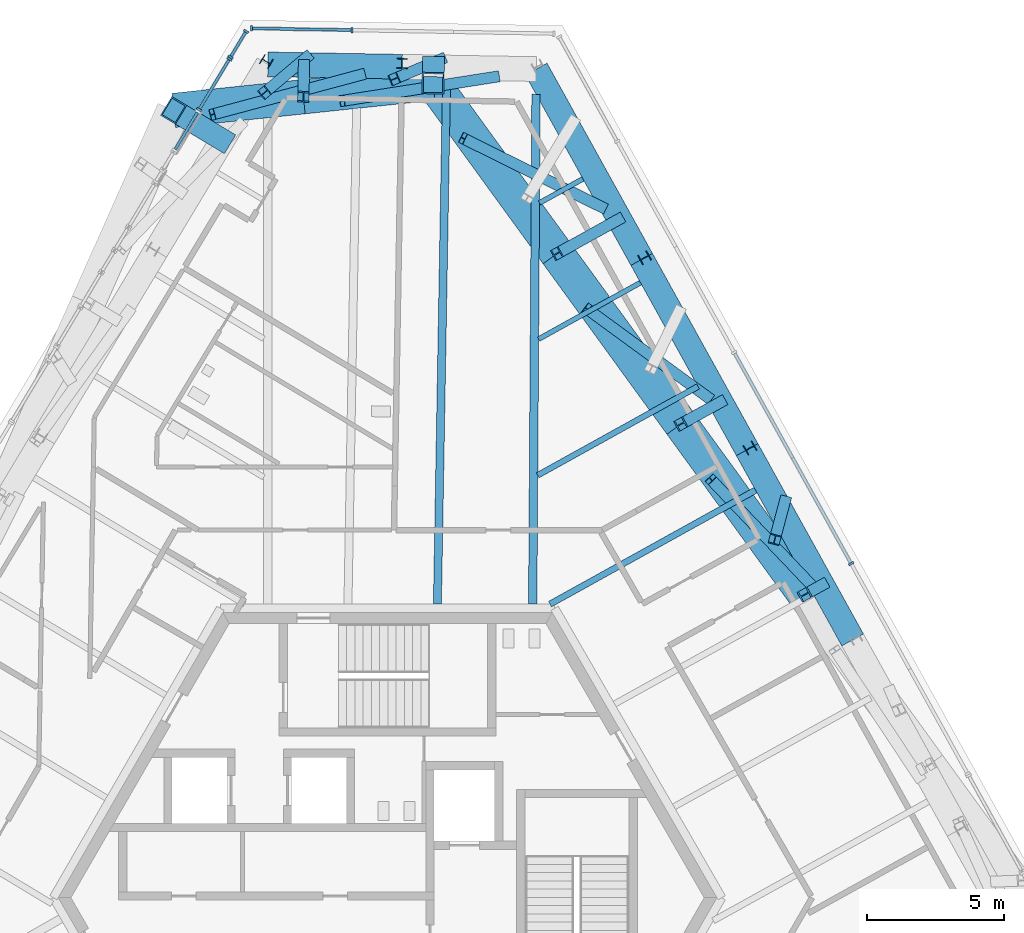
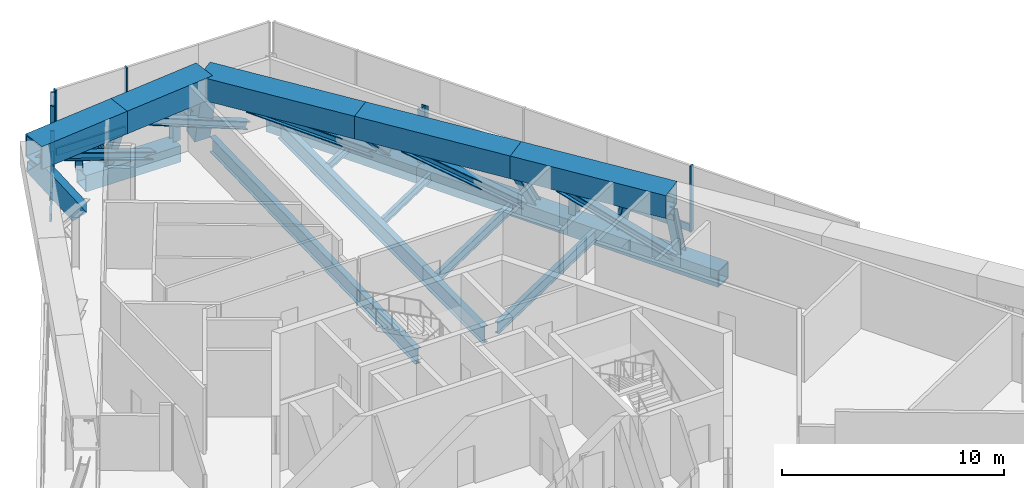
# One storey, part 8 of 28: 39 members, 6 beams, 5 elements without a shape of their own.
"""IFC4 building model written with IfcOpenShell, lengths in metres."""

from ifc_helpers import new_model, si_unit, direction, frame, origin, origin_2d, place, context, subcontext, project, spatial, rectangle, hollow_rectangle, i_section, extrude, source, transform, mapped, material, material_profile, profile_set, type_object, element, aggregate, save


model = new_model("IFC4")

# Units and contexts
model_context = context("Model", 3, precision=1e-05, world=origin(), true_north=direction((0.0, 1.0)))
body_context = subcontext(model_context, "Body", "Model", "MODEL_VIEW")
ifc_project = project(units=[si_unit("LENGTHUNIT", "METRE"), si_unit("AREAUNIT", "SQUARE_METRE"), si_unit("VOLUMEUNIT", "CUBIC_METRE"), si_unit("PLANEANGLEUNIT", "RADIAN"), si_unit("MASSUNIT", "GRAM", prefix="KILO")], contexts=[model_context])

# Site, building, storey
site_placement = place(None, origin())
site = spatial("IfcSite", under=ifc_project, at=site_placement, CompositionType="ELEMENT")
building_placement = place(site_placement, origin())
building = spatial("IfcBuilding", under=site, at=building_placement, Name="Triune Harvest Tower", CompositionType="ELEMENT")
storey_placement = place(building_placement, frame((0.0, 0.0, 215.89990234375)))
storey = spatial("IfcBuildingStorey", under=building, at=storey_placement, Name="L56", CompositionType="ELEMENT", Elevation=215.89990234375)

# Beams
ifc_material_1 = material(Name="Steel ASTM A992 Gr 50", Category="steel")
ifc_material_profile_1 = material_profile(ifc_material_1, i_section(OverallWidth=0.307373046875, OverallDepth=0.922119140625, WebThickness=0.018310546875, FlangeThickness=0.030029296875, at=origin_2d()), Name="W36x182")
ifc_profile_set_1 = profile_set([ifc_material_profile_1], Name="Steel ASTM A992 Gr 50")
beam_type_1 = type_object("IfcBeamType", Name="HG-2 Hip girder W36x182", PredefinedType="BEAM", material=ifc_profile_set_1)
beam_1_placement = place(storey_placement, frame((5.41015625, 29.275634765625, -0.7109375), z_axis=(-0.006517772668, -0.999978759094, 0.0), x_axis=(0.999978759094, -0.006517772668, 0.0)))
element("IfcBeam", 1, at=beam_1_placement, inside=storey, type_object=beam_type_1, Name="beam/L56/HG3", PredefinedType="BEAM", context=body_context, shape_type="SweptSolid", body=[
    extrude(i_section(OverallWidth=0.307373046875, OverallDepth=0.922119140625, WebThickness=0.018310546875, FlangeThickness=0.030029296875, at=origin_2d()), origin(), (0.0, 0.0, 1.0), 18.5791015625),
])
ifc_material_2 = material(Name="Steel ASTM A992 Gr 50", Category="steel")
ifc_material_profile_2 = material_profile(ifc_material_2, i_section(OverallWidth=0.180908203125, OverallDepth=0.41650390625, WebThickness=0.010986328125, FlangeThickness=0.01806640625, at=origin_2d()), Name="W16x57")
ifc_profile_set_2 = profile_set([ifc_material_profile_2], Name="Steel ASTM A992 Gr 50")
beam_type_2 = type_object("IfcBeamType", Name="JT-1 Floor joist W16x57", PredefinedType="JOIST", material=ifc_profile_set_2)
beam_2_placement = place(storey_placement, frame((9.215087890625, 22.4111328125, -0.458251953125), z_axis=(-0.874623898711, -0.484802058374, 0.0), x_axis=(0.484802058374, -0.874623898711, 0.0)))
element("IfcBeam", 2, at=beam_2_placement, inside=storey, type_object=beam_type_2, Name="beam/L56/JT9", PredefinedType="JOIST", context=body_context, shape_type="SweptSolid", body=[
    extrude(i_section(OverallWidth=0.180908203125, OverallDepth=0.41650390625, WebThickness=0.010986328125, FlangeThickness=0.01806640625, at=origin_2d()), origin(), (0.0, 0.0, 1.0), 4.2412109375),
])
ifc_material_3 = material(Name="Steel ASTM A992 Gr 50", Category="steel")
ifc_material_profile_3 = material_profile(ifc_material_3, i_section(OverallWidth=0.2099609375, OverallDepth=0.535888671875, WebThickness=0.010986328125, FlangeThickness=0.017333984375, at=origin_2d()), Name="W21x68")
ifc_profile_set_3 = profile_set([ifc_material_profile_3], Name="Steel ASTM A992 Gr 50")
beam_type_3 = type_object("IfcBeamType", Name="JT-2 Floor joist W21x68", PredefinedType="JOIST", material=ifc_profile_set_3)
beam_3_placement = place(storey_placement, frame((11.311279296875, 18.62939453125, -0.517822265625), z_axis=(-0.874614093323, -0.4848197477, 0.0), x_axis=(0.4848197477, -0.874614093323, 0.0)))
element("IfcBeam", 3, at=beam_3_placement, inside=storey, type_object=beam_type_3, Name="beam/L56/JT8", PredefinedType="JOIST", context=body_context, shape_type="SweptSolid", body=[
    extrude(i_section(OverallWidth=0.2099609375, OverallDepth=0.535888671875, WebThickness=0.010986328125, FlangeThickness=0.017333984375, at=origin_2d()), origin(), (0.0, 0.0, 1.0), 6.6748046875),
])

# Member
ifc_material_4 = material(Name="Steel ASTM A572 Gr 50", Category="steel")
ifc_material_profile_4 = material_profile(ifc_material_4, hollow_rectangle(XDim=1.25, YDim=1.25, WallThickness=0.070068359375, at=origin_2d()), Name="Box 1250x1250x70")
ifc_profile_set_4 = profile_set([ifc_material_profile_4], Name="Steel ASTM A572 Gr 50")
member_type_1 = type_object("IfcMemberType", Name="TC-1 Belt truss chord Box 1250x1250x70", PredefinedType="CHORD", material=ifc_profile_set_4)
member_1_placement = place(storey_placement, frame((-3.0673828125, 29.18505859375, 3.01513671875), z_axis=(-0.994519238863, -0.104553735139, 0.0), x_axis=(0.104553735139, -0.994519238863, 0.0)))
element("IfcMember", 4, at=member_1_placement, inside=storey, type_object=member_type_1, Name="truss/L56/TCT8", PredefinedType="CHORD", context=body_context, shape_type="SweptSolid", body=[
    extrude(hollow_rectangle(XDim=1.25, YDim=1.25, WallThickness=0.070068359375, at=origin_2d()), origin(), (0.0, 0.0, 1.0), 4.751953125),
])

# Curtain wall, member
ifc_material_5 = material(Name="Aluminium bronze anodised", Category="aluminium")
curtain_wall_type = type_object("IfcCurtainWallType", Name="CW-5 Plant louvre wall", PredefinedType="NOTDEFINED", material=ifc_material_5)
curtain_wall_1_placement = place(storey_placement, origin())
curtain_wall_1 = element("IfcCurtainWall", 5, at=curtain_wall_1_placement, inside=storey, type_object=curtain_wall_type, Name="CW-5 B5-F3 L56 run 1")
ifc_material_6 = material(Name="Aluminium bronze anodised", Category="aluminium")
ifc_material_profile_5 = material_profile(ifc_material_6, rectangle(XDim=0.10009765625, YDim=0.39990234375, at=origin_2d()), Name="TR-5 transom 100 x 400")
ifc_profile_set_5 = profile_set([ifc_material_profile_5], Name="Aluminium bronze anodised")
member_type_2 = type_object("IfcMemberType", Name="TR-5 transom 100 x 400", PredefinedType="USERDEFINED", material=ifc_profile_set_5)
member_2_placement = place(storey_placement, frame((-5.17578125, 31.532958984375, 0.2001953125), z_axis=(-0.514885455647, -0.857258985116, 0.0), x_axis=(0.857258985116, -0.514885455647, 0.0)))
member_2 = element("IfcMember", 6, at=member_2_placement, type_object=member_type_2, Name="CW-5 transom B5-F3 1.1", ObjectType="TRANSOM", PredefinedType="USERDEFINED", context=body_context, shape_type="SweptSolid", body=[
    extrude(rectangle(XDim=0.10009765625, YDim=0.39990234375, at=origin_2d()), origin(), (0.0, 0.0, 1.0), 1.01318359375),
])

curtain_wall_2_placement = place(storey_placement, origin())
curtain_wall_2 = element("IfcCurtainWall", 7, at=curtain_wall_2_placement, inside=storey, type_object=curtain_wall_type, Name="CW-5 B5-F3 L56 run 101")
member_3_placement = place(storey_placement, frame((-5.780029296875, 30.52734375, 0.2001953125), z_axis=(-0.514980582443, -0.857201843037, 0.0), x_axis=(0.857201843037, -0.514980582443, 0.0)))
member_3 = element("IfcMember", 8, at=member_3_placement, type_object=member_type_2, Name="CW-5 transom B5-F3 101.1", ObjectType="TRANSOM", PredefinedType="USERDEFINED", context=body_context, shape_type="SweptSolid", body=[
    extrude(rectangle(XDim=0.10009765625, YDim=0.39990234375, at=origin_2d()), origin(), (0.0, 0.0, 1.0), 2.0732421875),
])

curtain_wall_3_placement = place(storey_placement, origin())
curtain_wall_3 = element("IfcCurtainWall", 9, at=curtain_wall_3_placement, inside=storey, type_object=curtain_wall_type, Name="CW-5 B5-F3 L56 run 201")
member_4_placement = place(storey_placement, frame((-6.93017578125, 28.613037109375, 0.2001953125), z_axis=(-0.515091176024, -0.857135392095, 0.0), x_axis=(0.857135392095, -0.515091176024, 0.0)))
member_4 = element("IfcMember", 10, at=member_4_placement, type_object=member_type_2, Name="CW-5 transom B5-F3 201.1", ObjectType="TRANSOM", PredefinedType="USERDEFINED", context=body_context, shape_type="SweptSolid", body=[
    extrude(rectangle(XDim=0.10009765625, YDim=0.39990234375, at=origin_2d()), origin(), (0.0, 0.0, 1.0), 1.5673828125),
])
aggregate(curtain_wall_3, [member_4])

# Member
ifc_material_7 = material(Name="Steel ASTM A992 Gr 50", Category="steel")
ifc_material_profile_6 = material_profile(ifc_material_7, i_section(OverallWidth=0.411376953125, OverallDepth=0.434326171875, WebThickness=0.035888671875, FlangeThickness=0.057373046875, at=origin_2d()), Name="W14x311")
ifc_profile_set_6 = profile_set([ifc_material_profile_6], Name="Steel ASTM A992 Gr 50")
member_type_3 = type_object("IfcMemberType", Name="TV-1 Belt truss strut W14x311", PredefinedType="STRUT", material=ifc_profile_set_6)
member_5_placement = place(storey_placement, frame((8.445068359375, 24.728759765625, -0.27490234375), z_axis=(-0.606539523979, -0.336170133591, 0.720485563446), x_axis=(0.484765259291, -0.874644295348, 0.0)))
element("IfcMember", 11, at=member_5_placement, inside=storey, type_object=member_type_3, Name="truss/L56/TS6", PredefinedType="STRUT", context=body_context, shape_type="SweptSolid", body=[
    extrude(i_section(OverallWidth=0.411376953125, OverallDepth=0.434326171875, WebThickness=0.035888671875, FlangeThickness=0.057373046875, at=origin_2d()), origin(), (0.0, 0.0, 1.0), 3.747314453125),
])

# Beams
ifc_material_8 = material(Name="Steel ASTM A992 Gr 50", Category="steel")
ifc_material_profile_7 = material_profile(ifc_material_8, i_section(OverallWidth=0.22900390625, OverallDepth=0.612060546875, WebThickness=0.011962890625, FlangeThickness=0.01953125, at=origin_2d()), Name="W24x84")
ifc_profile_set_7 = profile_set([ifc_material_profile_7], Name="Steel ASTM A992 Gr 50")
beam_type_4 = type_object("IfcBeamType", Name="JT-3 Floor joist W24x84", PredefinedType="JOIST", material=ifc_profile_set_7)
shared_shape_1 = source(origin(), body_context, "Body", "SweptSolid", [
    extrude(i_section(OverallWidth=0.22900390625, OverallDepth=0.612060546875, WebThickness=0.011962890625, FlangeThickness=0.01953125, at=origin_2d()), origin(), (0.0, 0.0, 1.0), 8.561279296875),
])
beam_4_placement = place(storey_placement, frame((13.40771484375, 14.84765625, -0.555908203125), z_axis=(-0.874615579036, -0.484817067467, 0.0), x_axis=(0.484817067467, -0.874615579036, 0.0)))
element("IfcBeam", 12, at=beam_4_placement, inside=storey, type_object=beam_type_4, Name="beam/L56/JT7", PredefinedType="JOIST", context=body_context, shape_type="MappedRepresentation", body=[
    mapped(shared_shape_1, transform((0.0, 0.0, 0.0), scale=1.0)),
])
shared_shape_2 = source(origin(), body_context, "Body", "SweptSolid", [
    extrude(i_section(OverallWidth=0.180908203125, OverallDepth=0.41650390625, WebThickness=0.010986328125, FlangeThickness=0.01806640625, at=origin_2d()), origin(), (0.0, 0.0, 1.0), 1.807373046875),
])
beam_5_placement = place(storey_placement, frame((7.118896484375, 26.193115234375, -0.458251953125), z_axis=(-0.874628361903, -0.484794006312, 0.0), x_axis=(0.484794006312, -0.874628361903, 0.0)))
element("IfcBeam", 13, at=beam_5_placement, inside=storey, type_object=beam_type_2, Name="beam/L56/JT10", PredefinedType="JOIST", context=body_context, shape_type="MappedRepresentation", body=[
    mapped(shared_shape_2, transform((0.0, 0.0, 0.0), scale=1.0)),
])
ifc_material_9 = material(Name="Steel ASTM A992 Gr 50", Category="steel")
ifc_material_profile_8 = material_profile(ifc_material_9, i_section(OverallWidth=0.2919921875, OverallDepth=0.8408203125, WebThickness=0.0146484375, FlangeThickness=0.021728515625, at=origin_2d()), Name="W33x130")
ifc_profile_set_8 = profile_set([ifc_material_profile_8], Name="Steel ASTM A992 Gr 50")
beam_type_5 = type_object("IfcBeamType", Name="JT-6 Floor joist W33x130", PredefinedType="JOIST", material=ifc_profile_set_8)
shared_shape_3 = source(origin(), body_context, "Body", "SweptSolid", [
    extrude(i_section(OverallWidth=0.2919921875, OverallDepth=0.8408203125, WebThickness=0.0146484375, FlangeThickness=0.021728515625, at=origin_2d()), origin(), (0.0, 0.0, 1.0), 19.10595703125),
])
beam_6_placement = place(storey_placement, frame((2.14990234375, 29.800048828125, -0.67041015625), z_axis=(-0.017455101696, -0.999847648107, 0.0), x_axis=(0.999847648107, -0.017455101696, 0.0)))
element("IfcBeam", 14, at=beam_6_placement, inside=storey, type_object=beam_type_5, Name="beam/L56/JT11", PredefinedType="JOIST", context=body_context, shape_type="MappedRepresentation", body=[
    mapped(shared_shape_3, transform((0.0, 0.0, 0.0), scale=1.0)),
])

# Members
ifc_material_10 = material(Name="Steel ASTM A992 Gr 50", Category="steel")
ifc_material_profile_9 = material_profile(ifc_material_10, i_section(OverallWidth=0.370849609375, OverallDepth=0.36328125, WebThickness=0.013427734375, FlangeThickness=0.021728515625, at=origin_2d()), Name="W14x109")
ifc_profile_set_9 = profile_set([ifc_material_profile_9], Name="Steel ASTM A992 Gr 50")
member_type_4 = type_object("IfcMemberType", Name="WP-5 Roof edge post W14x109", PredefinedType="POST", material=ifc_profile_set_9)
shared_shape_4 = source(origin(), body_context, "Body", "SweptSolid", [
    extrude(i_section(OverallWidth=0.370849609375, OverallDepth=0.36328125, WebThickness=0.013427734375, FlangeThickness=0.021728515625, at=origin_2d()), origin(), (0.0, 0.0, 1.0), 2.9755859375),
])
for number, where, z_axis, x_axis, name in (
    (15, (13.20751953125, 16.384521484375, -0.25), (0.0, 0.0, 1.0), (-0.484809620246, 0.874619707139, 0.0), "post/L56/W4"),
    (16, (9.3642578125, 23.31787109375, -0.25), (0.0, 0.0, 1.0), (-0.484809620246, 0.874619707139, 0.0), "post/L56/W5"),
    (17, (0.530517578125, 30.3984375, -0.25), (0.0, 0.0, 1.0), (-0.999847725615, 0.017450661374, 0.0), "post/L56/W7"),
    (18, (-4.417236328125, 30.46875, -0.25), (0.0, 0.0, 1.0), (-0.51503657887, -0.857168199612, 0.0), "post/L56/W8"),
):
    element("IfcMember", number, at=place(storey_placement, frame(where, z_axis=z_axis, x_axis=x_axis)), inside=storey, type_object=member_type_4, Name=name, PredefinedType="POST", context=body_context, shape_type="MappedRepresentation", body=[
        mapped(shared_shape_4, transform((0.0, 0.0, 0.0), scale=1.0)),
    ])
ifc_material_11 = material(Name="Steel ASTM A572 Gr 50", Category="steel")
ifc_material_profile_10 = material_profile(ifc_material_11, hollow_rectangle(XDim=0.89990234375, YDim=0.89990234375, WallThickness=0.050048828125, at=origin_2d()), Name="Box 900x900x50")
ifc_profile_set_10 = profile_set([ifc_material_profile_10], Name="Steel ASTM A572 Gr 50")
member_type_5 = type_object("IfcMemberType", Name="TC-2 Belt truss chord Box 900x900x50", PredefinedType="CHORD", material=ifc_profile_set_10)
shared_shape_5 = source(origin(), body_context, "Body", "SweptSolid", [
    extrude(hollow_rectangle(XDim=0.89990234375, YDim=0.89990234375, WallThickness=0.050048828125, at=origin_2d()), origin(), (0.0, 0.0, 1.0), 7.92724609375),
])
for number, where, z_axis, x_axis, name in (
    (19, (16.94580078125, 9.39306640625, -0.699951171875), (-0.48481379599, 0.874617392474, 0.0), (-0.874617392474, -0.48481379599, 0.0), "truss/L56/TCB4"),
    (20, (13.1025390625, 16.326416015625, -0.699951171875), (-0.48481379599, 0.874617392474, 0.0), (-0.874617392474, -0.48481379599, 0.0), "truss/L56/TCB5"),
    (21, (9.25927734375, 23.259765625, -0.699951171875), (-0.48481379599, 0.874617392474, 0.0), (-0.874617392474, -0.48481379599, 0.0), "truss/L56/TCB6"),
):
    element("IfcMember", number, at=place(storey_placement, frame(where, z_axis=z_axis, x_axis=x_axis)), inside=storey, type_object=member_type_5, Name=name, PredefinedType="CHORD", context=body_context, shape_type="MappedRepresentation", body=[
        mapped(shared_shape_5, transform((0.0, 0.0, 0.0), scale=1.0)),
    ])
shared_shape_6 = source(origin(), body_context, "Body", "SweptSolid", [
    extrude(hollow_rectangle(XDim=0.89990234375, YDim=0.89990234375, WallThickness=0.050048828125, at=origin_2d()), origin(), (0.0, 0.0, 1.0), 4.888427734375),
])
member_6_placement = place(storey_placement, frame((0.528564453125, 30.2783203125, -0.699951171875), z_axis=(-0.999847215813, 0.01747984643, 0.0), x_axis=(-0.01747984643, -0.999847215813, 0.0)))
element("IfcMember", 22, at=member_6_placement, inside=storey, type_object=member_type_5, Name="truss/L56/TCB8", PredefinedType="CHORD", context=body_context, shape_type="MappedRepresentation", body=[
    mapped(shared_shape_6, transform((0.0, 0.0, 0.0), scale=1.0)),
])
shared_shape_7 = source(origin(), body_context, "Body", "SweptSolid", [
    extrude(hollow_rectangle(XDim=1.25, YDim=1.25, WallThickness=0.070068359375, at=origin_2d()), origin(), (0.0, 0.0, 1.0), 7.679443359375),
])
for number, where, z_axis, x_axis, name in (
    (23, (15.19970703125, 11.043212890625, 3.01513671875), (-0.58778412343, 0.809017814541, 0.0), (-0.809017814541, -0.58778412343, 0.0), "truss/L56/TCT4"),
    (24, (10.685791015625, 17.256103515625, 3.01513671875), (-0.587763315313, 0.809032932069, 0.0), (-0.809032932069, -0.587763315313, 0.0), "truss/L56/TCT5"),
    (25, (6.172119140625, 23.468994140625, 3.01513671875), (-0.587799241229, 0.809006830633, 0.0), (-0.809006830633, -0.587799241229, 0.0), "truss/L56/TCT6"),
):
    element("IfcMember", number, at=place(storey_placement, frame(where, z_axis=z_axis, x_axis=x_axis)), inside=storey, type_object=member_type_1, Name=name, PredefinedType="CHORD", context=body_context, shape_type="MappedRepresentation", body=[
        mapped(shared_shape_7, transform((0.0, 0.0, 0.0), scale=1.0)),
    ])
shared_shape_8 = source(origin(), body_context, "Body", "SweptSolid", [
    extrude(hollow_rectangle(XDim=1.25, YDim=1.25, WallThickness=0.070068359375, at=origin_2d()), origin(), (0.0, 0.0, 1.0), 4.751708984375),
])
member_7_placement = place(storey_placement, frame((1.658203125, 29.681640625, 3.01513671875), z_axis=(-0.994524018753, -0.104508258635, 0.0), x_axis=(0.104508258635, -0.994524018753, 0.0)))
element("IfcMember", 26, at=member_7_placement, inside=storey, type_object=member_type_1, Name="truss/L56/TCT7", PredefinedType="CHORD", context=body_context, shape_type="MappedRepresentation", body=[
    mapped(shared_shape_8, transform((0.0, 0.0, 0.0), scale=1.0)),
])
ifc_material_12 = material(Name="Steel ASTM A572 Gr 50", Category="steel")
ifc_material_profile_11 = material_profile(ifc_material_12, hollow_rectangle(XDim=0.800048828125, YDim=0.800048828125, WallThickness=0.050048828125, at=origin_2d()), Name="Box 800x800x50")
ifc_profile_set_11 = profile_set([ifc_material_profile_11], Name="Steel ASTM A572 Gr 50")
member_type_6 = type_object("IfcMemberType", Name="TS-2 Belt truss raked strut Box 800x800x50", PredefinedType="STRUT", material=ifc_profile_set_11)
shared_shape_9 = source(origin(), body_context, "Body", "SweptSolid", [
    extrude(hollow_rectangle(XDim=0.800048828125, YDim=0.800048828125, WallThickness=0.050048828125, at=origin_2d()), origin(), (0.0, 0.0, 1.0), 3.40869140625),
])
member_8_placement = place(storey_placement, frame((-6.009521484375, 27.61669921875, -0.27490234375), z_axis=(-0.523270764755, 0.314349217973, 0.792068353056), x_axis=(-0.514961548776, -0.857213277593, 0.0)))
element("IfcMember", 27, at=member_8_placement, inside=storey, type_object=member_type_6, Name="truss/L56/TS9", PredefinedType="STRUT", context=body_context, shape_type="MappedRepresentation", body=[
    mapped(shared_shape_9, transform((0.0, 0.0, 0.0), scale=1.0)),
])
shared_shape_10 = source(origin(), body_context, "Body", "SweptSolid", [
    extrude(i_section(OverallWidth=0.411376953125, OverallDepth=0.434326171875, WebThickness=0.035888671875, FlangeThickness=0.057373046875, at=origin_2d()), origin(), (0.0, 0.0, 1.0), 2.796142578125),
])
member_9_placement = place(storey_placement, frame((15.835693359375, 11.395751953125, -0.27490234375), z_axis=(-0.227450080394, -0.126079814238, 0.965593258764), x_axis=(0.484816020722, -0.874616159267, 0.0)))
element("IfcMember", 28, at=member_9_placement, inside=storey, type_object=member_type_3, Name="truss/L56/TS4", PredefinedType="STRUT", context=body_context, shape_type="MappedRepresentation", body=[
    mapped(shared_shape_10, transform((0.0, 0.0, 0.0), scale=1.0)),
])
shared_shape_11 = source(origin(), body_context, "Body", "SweptSolid", [
    extrude(i_section(OverallWidth=0.411376953125, OverallDepth=0.434326171875, WebThickness=0.035888671875, FlangeThickness=0.057373046875, at=origin_2d()), origin(), (0.0, 0.0, 1.0), 3.171142578125),
])
member_10_placement = place(storey_placement, frame((12.140380859375, 18.062255859375, -0.27490234375), z_axis=(-0.458711687137, -0.254223899115, 0.851442186647), x_axis=(0.484745234841, -0.874655393454, 0.0)))
element("IfcMember", 29, at=member_10_placement, inside=storey, type_object=member_type_3, Name="truss/L56/TS5", PredefinedType="STRUT", context=body_context, shape_type="MappedRepresentation", body=[
    mapped(shared_shape_11, transform((0.0, 0.0, 0.0), scale=1.0)),
])
shared_shape_12 = source(origin(), body_context, "Body", "SweptSolid", [
    extrude(hollow_rectangle(XDim=0.800048828125, YDim=0.800048828125, WallThickness=0.050048828125, at=origin_2d()), origin(), (0.0, 0.0, 1.0), 2.760986328125),
])
member_11_placement = place(storey_placement, frame((1.668212890625, 30.258544921875, -0.27490234375), z_axis=(-0.003625523913, -0.208953975794, 0.9779187551), x_axis=(0.99984950841, -0.017348214069, 0.0)))
element("IfcMember", 30, at=member_11_placement, inside=storey, type_object=member_type_6, Name="truss/L56/TS7", PredefinedType="STRUT", context=body_context, shape_type="MappedRepresentation", body=[
    mapped(shared_shape_12, transform((0.0, 0.0, 0.0), scale=1.0)),
])
shared_shape_13 = source(origin(), body_context, "Body", "SweptSolid", [
    extrude(i_section(OverallWidth=0.411376953125, OverallDepth=0.434326171875, WebThickness=0.035888671875, FlangeThickness=0.057373046875, at=origin_2d()), origin(), (0.0, 0.0, 1.0), 2.93701171875),
])
member_12_placement = place(storey_placement, frame((-3.04736328125, 30.3408203125, -0.27490234375), z_axis=(-0.006816338265, -0.393518845708, 0.919291278978), x_axis=(0.999850016499, -0.017318906074, 0.0)))
element("IfcMember", 31, at=member_12_placement, inside=storey, type_object=member_type_3, Name="truss/L56/TS8", PredefinedType="STRUT", context=body_context, shape_type="MappedRepresentation", body=[
    mapped(shared_shape_13, transform((0.0, 0.0, 0.0), scale=1.0)),
])
ifc_material_13 = material(Name="Steel ASTM A992 Gr 50", Category="steel")
ifc_material_profile_12 = material_profile(ifc_material_13, i_section(OverallWidth=0.40380859375, OverallDepth=0.406494140625, WebThickness=0.027099609375, FlangeThickness=0.043701171875, at=origin_2d()), Name="W14x233")
ifc_profile_set_12 = profile_set([ifc_material_profile_12], Name="Steel ASTM A992 Gr 50")
member_type_7 = type_object("IfcMemberType", Name="TD-3 Belt truss diagonal W14x233", PredefinedType="BRACE", material=ifc_profile_set_12)
shared_shape_14 = source(origin(), body_context, "Body", "SweptSolid", [
    extrude(i_section(OverallWidth=0.40380859375, OverallDepth=0.406494140625, WebThickness=0.027099609375, FlangeThickness=0.043701171875, at=origin_2d()), origin(), (0.0, 0.0, 1.0), 6.1474609375),
])
member_13_placement = place(storey_placement, frame((15.56640625, 11.2626953125, -0.324951171875), z_axis=(-0.616325191216, 0.648096578095, 0.447341127254), x_axis=(-0.724645673254, -0.689121649808, 0.0)))
element("IfcMember", 32, at=member_13_placement, inside=storey, type_object=member_type_7, Name="truss/L56/TD7", PredefinedType="BRACE", context=body_context, shape_type="MappedRepresentation", body=[
    mapped(shared_shape_14, transform((0.0, 0.0, 0.0), scale=1.0)),
])
shared_shape_15 = source(origin(), body_context, "Body", "SweptSolid", [
    extrude(i_section(OverallWidth=0.40380859375, OverallDepth=0.406494140625, WebThickness=0.027099609375, FlangeThickness=0.043701171875, at=origin_2d()), origin(), (0.0, 0.0, 1.0), 3.1103515625),
])
member_14_placement = place(storey_placement, frame((14.481689453125, 14.456787109375, -0.324951171875), z_axis=(-0.120172846977, -0.451491976362, 0.884145622695), x_axis=(0.966354737723, -0.257212987388, 0.0)))
element("IfcMember", 33, at=member_14_placement, inside=storey, type_object=member_type_7, Name="truss/L56/TD8", PredefinedType="BRACE", context=body_context, shape_type="MappedRepresentation", body=[
    mapped(shared_shape_15, transform((0.0, 0.0, 0.0), scale=1.0)),
])
shared_shape_16 = source(origin(), body_context, "Body", "SweptSolid", [
    extrude(i_section(OverallWidth=0.40380859375, OverallDepth=0.406494140625, WebThickness=0.027099609375, FlangeThickness=0.043701171875, at=origin_2d()), origin(), (0.0, 0.0, 1.0), 6.172607421875),
])
member_15_placement = place(storey_placement, frame((11.72314453125, 18.19580078125, -0.324951171875), z_axis=(-0.722428965828, 0.528779241399, 0.445520934634), x_axis=(-0.590635610354, -0.806938396522, 0.0)))
element("IfcMember", 34, at=member_15_placement, inside=storey, type_object=member_type_7, Name="truss/L56/TD9", PredefinedType="BRACE", context=body_context, shape_type="MappedRepresentation", body=[
    mapped(shared_shape_16, transform((0.0, 0.0, 0.0), scale=1.0)),
])
shared_shape_17 = source(origin(), body_context, "Body", "SweptSolid", [
    extrude(i_section(OverallWidth=0.40380859375, OverallDepth=0.406494140625, WebThickness=0.027099609375, FlangeThickness=0.043701171875, at=origin_2d()), origin(), (0.0, 0.0, 1.0), 6.351806640625),
])
member_16_placement = place(storey_placement, frame((7.8798828125, 25.129150390625, -0.324951171875), z_axis=(-0.807618958399, 0.400388667887, 0.432944029479), x_axis=(-0.44417509087, -0.895940002819, 0.0)))
element("IfcMember", 35, at=member_16_placement, inside=storey, type_object=member_type_7, Name="truss/L56/TD11", PredefinedType="BRACE", context=body_context, shape_type="MappedRepresentation", body=[
    mapped(shared_shape_17, transform((0.0, 0.0, 0.0), scale=1.0)),
])
shared_shape_18 = source(origin(), body_context, "Body", "SweptSolid", [
    extrude(i_section(OverallWidth=0.40380859375, OverallDepth=0.406494140625, WebThickness=0.027099609375, FlangeThickness=0.043701171875, at=origin_2d()), origin(), (0.0, 0.0, 1.0), 6.337158203125),
])
member_17_placement = place(storey_placement, frame((3.985595703125, 29.91796875, -0.324951171875), z_axis=(-0.890080144952, -0.139460272019, 0.433944890614), x_axis=(0.154794284155, -0.987946724066, 0.0)))
element("IfcMember", 36, at=member_17_placement, inside=storey, type_object=member_type_7, Name="truss/L56/TD13", PredefinedType="BRACE", context=body_context, shape_type="MappedRepresentation", body=[
    mapped(shared_shape_18, transform((0.0, 0.0, 0.0), scale=1.0)),
])
shared_shape_19 = source(origin(), body_context, "Body", "SweptSolid", [
    extrude(i_section(OverallWidth=0.40380859375, OverallDepth=0.406494140625, WebThickness=0.027099609375, FlangeThickness=0.043701171875, at=origin_2d()), origin(), (0.0, 0.0, 1.0), 3.3193359375),
])
member_18_placement = place(storey_placement, frame((1.958984375, 30.553466796875, -0.324951171875), z_axis=(-0.516182607836, -0.217196814041, 0.828481176213), x_axis=(0.387839741542, -0.921726822264, 0.0)))
element("IfcMember", 37, at=member_18_placement, inside=storey, type_object=member_type_7, Name="truss/L56/TD14", PredefinedType="BRACE", context=body_context, shape_type="MappedRepresentation", body=[
    mapped(shared_shape_19, transform((0.0, 0.0, 0.0), scale=1.0)),
])
shared_shape_20 = source(origin(), body_context, "Body", "SweptSolid", [
    extrude(i_section(OverallWidth=0.40380859375, OverallDepth=0.406494140625, WebThickness=0.027099609375, FlangeThickness=0.043701171875, at=origin_2d()), origin(), (0.0, 0.0, 1.0), 6.302734375),
])
member_19_placement = place(storey_placement, frame((-0.902099609375, 30.00341796875, -0.324951171875), z_axis=(-0.869211779796, -0.232603241429, 0.436310226721), x_axis=(0.258506553954, -0.966009503868, 0.0)))
element("IfcMember", 38, at=member_19_placement, inside=storey, type_object=member_type_7, Name="truss/L56/TD15", PredefinedType="BRACE", context=body_context, shape_type="MappedRepresentation", body=[
    mapped(shared_shape_20, transform((0.0, 0.0, 0.0), scale=1.0)),
])
shared_shape_21 = source(origin(), body_context, "Body", "SweptSolid", [
    extrude(i_section(OverallWidth=0.40380859375, OverallDepth=0.406494140625, WebThickness=0.027099609375, FlangeThickness=0.043701171875, at=origin_2d()), origin(), (0.0, 0.0, 1.0), 3.415771484375),
])
member_20_placement = place(storey_placement, frame((-2.9287109375, 30.638916015625, -0.324951171875), z_axis=(-0.454164757125, -0.38147266427, 0.805116749174), x_axis=(0.643166649904, -0.765726230745, 0.0)))
element("IfcMember", 39, at=member_20_placement, inside=storey, type_object=member_type_7, Name="truss/L56/TD16", PredefinedType="BRACE", context=body_context, shape_type="MappedRepresentation", body=[
    mapped(shared_shape_21, transform((0.0, 0.0, 0.0), scale=1.0)),
])

# Curtain wall, member
curtain_wall_4_placement = place(storey_placement, origin())
curtain_wall_4 = element("IfcCurtainWall", 40, at=curtain_wall_4_placement, inside=storey, type_object=curtain_wall_type, Name="CW-5 B5-F1 L56 run 1301")
ifc_material_14 = material(Name="Aluminium bronze anodised", Category="aluminium")
ifc_material_profile_13 = material_profile(ifc_material_14, rectangle(XDim=0.199951171875, YDim=0.080078125, at=origin_2d()), Name="MU-5 mullion 80 x 200")
ifc_profile_set_13 = profile_set([ifc_material_profile_13], Name="Aluminium bronze anodised")
member_type_8 = type_object("IfcMemberType", Name="MU-5 mullion 80 x 200", PredefinedType="MULLION", material=ifc_profile_set_13)
shared_shape_22 = source(origin(), body_context, "Body", "SweptSolid", [
    extrude(rectangle(XDim=0.199951171875, YDim=0.080078125, at=origin_2d()), origin(), (0.0, 0.0, 1.0), 3.64013671875),
])
member_21_placement = place(storey_placement, frame((16.892333984375, 12.175048828125, 0.0), z_axis=(0.0, 0.0, 1.0), x_axis=(-0.874620631272, -0.484807953064, 0.0)))
member_21 = element("IfcMember", 41, at=member_21_placement, type_object=member_type_8, Name="CW-5 mullion B5-F1 1301.3", PredefinedType="MULLION", context=body_context, shape_type="MappedRepresentation", body=[
    mapped(shared_shape_22, transform((0.0, 0.0, 0.0), scale=1.0)),
])

# Curtain wall, members
curtain_wall_5_placement = place(storey_placement, origin())
curtain_wall_5 = element("IfcCurtainWall", 42, at=curtain_wall_5_placement, inside=storey, type_object=curtain_wall_type, Name="CW-5 B5-F2 L56 run 1")
member_22_placement = place(storey_placement, frame((-1.298583984375, 31.612548828125, 0.0), z_axis=(0.0, 0.0, 1.0), x_axis=(-0.017446318452, -0.999847801404, 0.0)))
member_22 = element("IfcMember", 43, at=member_22_placement, type_object=member_type_8, Name="CW-5 mullion B5-F2 1.3", PredefinedType="MULLION", context=body_context, shape_type="MappedRepresentation", body=[
    mapped(shared_shape_22, transform((0.0, 0.0, 0.0), scale=1.0)),
])
member_23_placement = place(storey_placement, frame((-4.9580078125, 31.676513671875, 0.0), z_axis=(0.0, 0.0, 1.0), x_axis=(-0.017446318452, -0.999847801404, 0.0)))
member_23 = element("IfcMember", 44, at=member_23_placement, type_object=member_type_8, Name="CW-5 mullion B5-F2 1.4", PredefinedType="MULLION", context=body_context, shape_type="MappedRepresentation", body=[
    mapped(shared_shape_22, transform((0.0, 0.0, 0.0), scale=1.0)),
])

# Member
member_24_placement = place(storey_placement, frame((-5.155029296875, 31.5673828125, 0.0), z_axis=(0.0, 0.0, 1.0), x_axis=(0.857184460869, -0.515009514518, 0.0)))
member_24 = element("IfcMember", 45, at=member_24_placement, type_object=member_type_8, Name="CW-5 mullion B5-F3 1.1", PredefinedType="MULLION", context=body_context, shape_type="MappedRepresentation", body=[
    mapped(shared_shape_22, transform((0.0, 0.0, 0.0), scale=1.0)),
])

member_25_placement = place(storey_placement, frame((-5.71826171875, 30.630126953125, 0.0), z_axis=(0.0, 0.0, 1.0), x_axis=(0.857184460869, -0.515009514518, 0.0)))
member_25 = element("IfcMember", 46, at=member_25_placement, type_object=member_type_8, Name="CW-5 mullion B5-F3 1.2", PredefinedType="MULLION", context=body_context, shape_type="MappedRepresentation", body=[
    mapped(shared_shape_22, transform((0.0, 0.0, 0.0), scale=1.0)),
])

aggregate(curtain_wall_1, [member_24, member_25, member_2])

shared_shape_23 = source(origin(), body_context, "Body", "SweptSolid", [
    extrude(rectangle(XDim=0.199951171875, YDim=0.080078125, at=origin_2d()), origin(), (0.0, 0.0, 1.0), 2.330078125),
])
member_26_placement = place(storey_placement, frame((-5.759521484375, 30.5615234375, 0.0), z_axis=(0.0, 0.0, 1.0), x_axis=(0.857168746058, -0.515035669427, 0.0)))
member_26 = element("IfcMember", 47, at=member_26_placement, type_object=member_type_8, Name="CW-5 mullion B5-F3 101.1", PredefinedType="MULLION", context=body_context, shape_type="MappedRepresentation", body=[
    mapped(shared_shape_23, transform((0.0, 0.0, 0.0), scale=1.0)),
])

member_27_placement = place(storey_placement, frame((-6.868408203125, 28.716064453125, 0.0), z_axis=(0.0, 0.0, 1.0), x_axis=(0.857168746058, -0.515035669427, 0.0)))
member_27 = element("IfcMember", 48, at=member_27_placement, type_object=member_type_8, Name="CW-5 mullion B5-F3 101.2", PredefinedType="MULLION", context=body_context, shape_type="MappedRepresentation", body=[
    mapped(shared_shape_23, transform((0.0, 0.0, 0.0), scale=1.0)),
])

aggregate(curtain_wall_2, [member_26, member_27, member_3])

shared_shape_24 = source(origin(), body_context, "Body", "SweptSolid", [
    extrude(rectangle(XDim=0.10009765625, YDim=0.39990234375, at=origin_2d()), origin(), (0.0, 0.0, 1.0), 8.7138671875),
])
member_28_placement = place(storey_placement, frame((16.873046875, 12.2099609375, 0.2001953125), z_axis=(-0.484812499456, 0.874618111161, 0.0), x_axis=(-0.874618111161, -0.484812499456, 0.0)))
member_28 = element("IfcMember", 49, at=member_28_placement, type_object=member_type_2, Name="CW-5 transom B5-F1 1301.2", ObjectType="TRANSOM", PredefinedType="USERDEFINED", context=body_context, shape_type="MappedRepresentation", body=[
    mapped(shared_shape_24, transform((0.0, 0.0, 0.0), scale=1.0)),
])

aggregate(curtain_wall_4, [member_21, member_28])

shared_shape_25 = source(origin(), body_context, "Body", "SweptSolid", [
    extrude(rectangle(XDim=0.10009765625, YDim=0.39990234375, at=origin_2d()), origin(), (0.0, 0.0, 1.0), 3.580078125),
])
member_29_placement = place(storey_placement, frame((-1.338623046875, 31.61328125, 0.2001953125), z_axis=(-0.99984760728, 0.017457440149, 0.0), x_axis=(-0.017457440149, -0.99984760728, 0.0)))
member_29 = element("IfcMember", 50, at=member_29_placement, type_object=member_type_2, Name="CW-5 transom B5-F2 1.2", ObjectType="TRANSOM", PredefinedType="USERDEFINED", context=body_context, shape_type="MappedRepresentation", body=[
    mapped(shared_shape_25, transform((0.0, 0.0, 0.0), scale=1.0)),
])

aggregate(curtain_wall_5, [member_22, member_23, member_29])

save(model, "model.ifc")
